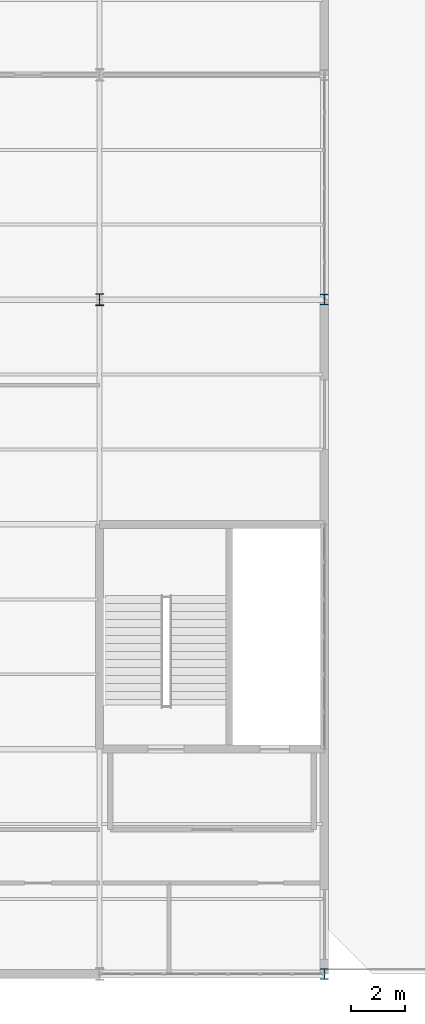
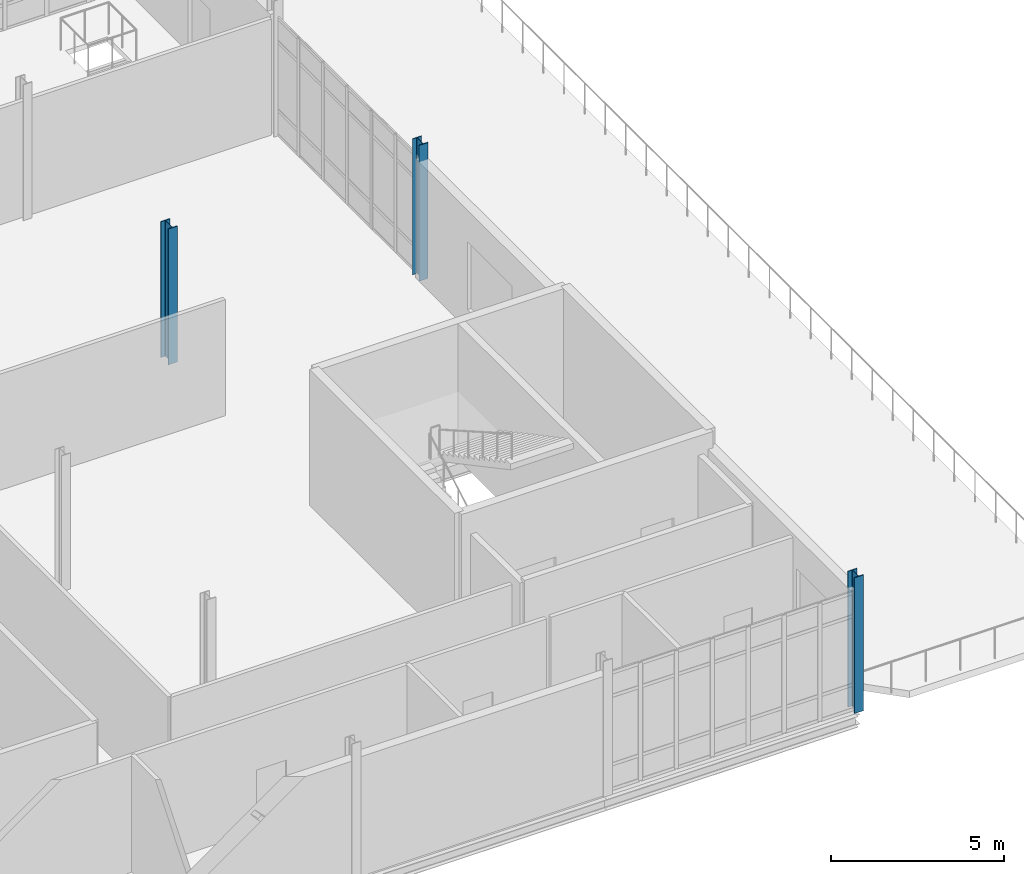
# One storey, part 2 of 28: 3 columns.
"""IFC4 building model written with IfcOpenShell, lengths in metres."""

import ifcopenshell
import ifcopenshell.guid

model = None  # the IFC model being written
_history = None  # IfcOwnerHistory: only IFC2X3 demands one
_inside = {}  # id of a spatial element -> (the spatial element, [elements in it])
_under = {}  # id of a project, library or spatial element -> (it, [spatial elements below it])
_declared = {}  # id of a project -> (the project, [libraries it declares])
_typed = {}  # id of a type object -> (the type object, [elements of that type])
_made_of = {}  # id of a material, layer set ... -> (it, [elements and type objects made of it])


def new_model(schema):
    """Start an empty IFC model of exactly this schema.

    Asked for "IFC4X3", IfcOpenShell would pick the latest addendum, in which some entities
    have other attributes; the version numbers below select the first issue.
    IFC2X3 requires an IfcOwnerHistory on every rooted entity: one is made here for all.
    """
    global model, _history
    if schema == "IFC4X3":
        model = ifcopenshell.file(schema_version=(4, 3, 0, 0))
    else:
        model = ifcopenshell.file(schema=schema)
    _inside.clear()
    _under.clear()
    _declared.clear()
    _typed.clear()
    _made_of.clear()
    _history = None
    if model.schema == "IFC2X3":
        org = make("IfcOrganization", Name="unknown")
        user = make(
            "IfcPersonAndOrganization",
            ThePerson=make("IfcPerson", FamilyName="unknown"),
            TheOrganization=org,
        )
        app = make(
            "IfcApplication",
            ApplicationDeveloper=org,
            Version="unknown",
            ApplicationFullName="unknown",
            ApplicationIdentifier="unknown",
        )
        _history = make(
            "IfcOwnerHistory",
            OwningUser=user,
            OwningApplication=app,
            ChangeAction="ADDED",
            CreationDate=0,
        )
    return model


def make(cls, **values):
    """One entity of the class cls with the attributes given. An attribute that is None is left unset."""
    return model.create_entity(
        cls, **{name: value for name, value in values.items() if value is not None}
    )


def rooted(cls, **values):
    """An entity with a GlobalId (a new one), such as an element, a storey or a relation."""
    return make(cls, GlobalId=ifcopenshell.guid.new(), OwnerHistory=_history, **values)


def si_unit(unit_type, name, prefix=None):
    """IfcSIUnit, for example si_unit("LENGTHUNIT", "METRE", prefix="MILLI")."""
    return make("IfcSIUnit", UnitType=unit_type, Prefix=prefix, Name=name)


def assignment(units):
    """IfcUnitAssignment: the units of a project."""
    return None if units is None else make("IfcUnitAssignment", Units=units)


def point(xyz):
    """IfcCartesianPoint."""
    return None if xyz is None else make("IfcCartesianPoint", Coordinates=xyz)


def direction(xyz):
    """IfcDirection."""
    return None if xyz is None else make("IfcDirection", DirectionRatios=xyz)


def frame(location, z_axis=None, x_axis=None):
    """IfcAxis2Placement3D, a coordinate frame: its origin and axes. An axis left out is left unset."""
    return make(
        "IfcAxis2Placement3D",
        Location=point(location),
        Axis=direction(z_axis),
        RefDirection=direction(x_axis),
    )


def frame_2d(location, x_axis=None):
    """IfcAxis2Placement2D, a coordinate frame in the plane: its origin and x axis."""
    return make(
        "IfcAxis2Placement2D", Location=point(location), RefDirection=direction(x_axis)
    )


def origin():
    """The frame at (0, 0, 0) with its axes left unset."""
    return frame((0.0, 0.0, 0.0))


def origin_2d():
    """The frame at (0, 0) in the plane with its x axis left unset."""
    return frame_2d((0.0, 0.0))


def place(relative_to, where):
    """IfcLocalPlacement: puts the frame where relative to a parent placement (None: the world)."""
    return make(
        "IfcLocalPlacement", PlacementRelTo=relative_to, RelativePlacement=where
    )


def context(
    kind, dimensions, precision=None, world=None, true_north=None, identifier=None
):
    """IfcGeometricRepresentationContext, for example the 3D "Model" context."""
    return make(
        "IfcGeometricRepresentationContext",
        ContextIdentifier=identifier,
        ContextType=kind,
        CoordinateSpaceDimension=dimensions,
        Precision=precision,
        WorldCoordinateSystem=world,
        TrueNorth=true_north,
    )


def subcontext(parent, identifier, kind, view, scale=None):
    """IfcGeometricRepresentationSubContext, for example "Body" below "Model"."""
    return make(
        "IfcGeometricRepresentationSubContext",
        ContextIdentifier=identifier,
        ContextType=kind,
        ParentContext=parent,
        TargetScale=scale,
        TargetView=view,
    )


def project(units=None, contexts=None):
    """IfcProject with its units and contexts."""
    return rooted(
        "IfcProject",
        Name="project",
        RepresentationContexts=contexts,
        UnitsInContext=assignment(units),
    )


def spatial(cls, under=None, at=None, **own):
    """A site, building, storey or space (cls), placed at a placement, below another one or the project."""
    s = rooted(cls, ObjectPlacement=at, **own)
    if under is not None:
        _under.setdefault(under.id(), (under, []))[1].append(s)
    return s


def profile(cls, at=None, kind="AREA", **sizes):
    """A parametric profile (cls). Its sizes go by their IFC names, for example OverallWidth=200.0."""
    return make(cls, ProfileType=kind, Position=at, **sizes)


def i_section(**sizes):
    """IfcIShapeProfileDef."""
    return profile("IfcIShapeProfileDef", **sizes)


def extrude(swept, where, along, depth):
    """IfcExtrudedAreaSolid: the profile swept, set in the frame where, extruded along a direction by depth."""
    return make(
        "IfcExtrudedAreaSolid",
        SweptArea=swept,
        Position=where,
        ExtrudedDirection=direction(along),
        Depth=depth,
    )


def shape(context_of_items, identifier, shape_type, items):
    """IfcShapeRepresentation: the items that make up one representation, for example the "Body"."""
    return make(
        "IfcShapeRepresentation",
        ContextOfItems=context_of_items,
        RepresentationIdentifier=identifier,
        RepresentationType=shape_type,
        Items=items,
    )


def material(Name=None, Category=None):
    """IfcMaterial."""
    return make("IfcMaterial", Name=Name, Category=Category)


def material_profile(
    of_material, cross_section, Name=None, Category=None, Priority=None
):
    """IfcMaterialProfile: a cross section and its material."""
    return make(
        "IfcMaterialProfile",
        Name=Name,
        Material=of_material,
        Profile=cross_section,
        Priority=Priority,
        Category=Category,
    )


def profile_set(profiles, Name=None, composite=None):
    """IfcMaterialProfileSet."""
    return make(
        "IfcMaterialProfileSet",
        Name=Name,
        MaterialProfiles=profiles,
        CompositeProfile=composite,
    )


def made_of(thing, what):
    """Note that an element or type object is made of a material, layer set ...; save() writes the relation."""
    if what is not None:
        _made_of.setdefault(what.id(), (what, []))[1].append(thing)
    return thing


def type_object(cls, material=None, **own):
    """A type object (cls), such as IfcWallType, which elements share."""
    return made_of(rooted(cls, **own), material)


def element(
    cls,
    number,
    at=None,
    inside=None,
    cuts=None,
    type_object=None,
    material=None,
    context=None,
    identifier="Body",
    shape_type=None,
    held_by="IfcProductDefinitionShape",
    body=None,
    shapes=None,
    **own,
):
    """One element of the class cls, such as IfcWall. Its Tag is "e" and its number.

    at: its placement. inside: the storey or other place that contains it. cuts: it is an
    opening in that element (IfcRelVoidsElement). A single representation is given by context,
    identifier, shape_type and body (its items); several are given by shapes. held_by: the class
    of the entity that holds the representations. save() writes the other relations.
    """
    e = rooted(cls, Tag="e%d" % number, ObjectPlacement=at, **own)
    if body is not None:
        shapes = [shape(context, identifier, shape_type, body)]
    if shapes is not None:
        e.Representation = make(held_by, Representations=shapes)
    if inside is not None:
        _inside.setdefault(inside.id(), (inside, []))[1].append(e)
    if cuts is not None:
        rooted(
            "IfcRelVoidsElement", RelatingBuildingElement=cuts, RelatedOpeningElement=e
        )
    if type_object is not None:
        _typed.setdefault(type_object.id(), (type_object, []))[1].append(e)
    return made_of(e, material)


def aggregate(whole, parts):
    """IfcRelAggregates: a whole, such as a stair, and the parts it consists of."""
    return rooted("IfcRelAggregates", RelatingObject=whole, RelatedObjects=parts)


def save(model, path):
    """Write the relations noted so far, then the file.

    IfcRelAggregates (storeys below a building ...), IfcRelContainedInSpatialStructure (elements
    in a storey), IfcRelDefinesByType, IfcRelAssociatesMaterial and IfcRelDeclares: one each for
    every whole, place, type object, material and project.
    """
    for whole, parts in _under.values():
        aggregate(whole, parts)
    for where, things in _inside.values():
        rooted(
            "IfcRelContainedInSpatialStructure",
            RelatedElements=things,
            RelatingStructure=where,
        )
    for kind, things in _typed.values():
        rooted("IfcRelDefinesByType", RelatedObjects=things, RelatingType=kind)
    for what, things in _made_of.values():
        rooted("IfcRelAssociatesMaterial", RelatedObjects=things, RelatingMaterial=what)
    for by, libraries in _declared.values():
        rooted("IfcRelDeclares", RelatingContext=by, RelatedDefinitions=libraries)
    model.write(path)


model = new_model("IFC4")

# Units and contexts
model_context = context("Model", 3, precision=1e-05, world=origin(), true_north=direction((0.0, 1.0)))
body_context = subcontext(model_context, "Body", "Model", "MODEL_VIEW")
ifc_project = project(units=[si_unit("LENGTHUNIT", "METRE"), si_unit("AREAUNIT", "SQUARE_METRE"), si_unit("VOLUMEUNIT", "CUBIC_METRE"), si_unit("PLANEANGLEUNIT", "RADIAN"), si_unit("MASSUNIT", "GRAM", prefix="KILO")], contexts=[model_context])

# Site, building, storey
site_placement = place(None, origin())
site = spatial("IfcSite", under=ifc_project, at=site_placement, CompositionType="ELEMENT")
building_placement = place(site_placement, origin())
building = spatial("IfcBuilding", under=site, at=building_placement, Name="Qalvenar Corner Mobility Hub", CompositionType="ELEMENT")
storey_placement = place(building_placement, frame((0.0, 0.0, 21.60009765625)))
storey = spatial("IfcBuildingStorey", under=building, at=storey_placement, Name="L05", CompositionType="ELEMENT", Elevation=21.60009765625)

# Columns
ifc_material = material(Name="Steel S355", Category="steel")
ifc_material_profile_1 = material_profile(ifc_material, i_section(OverallWidth=0.300048828125, OverallDepth=0.39990234375, WebThickness=0.013427734375, FlangeThickness=0.02392578125, FilletRadius=0.027099609375, at=origin_2d()), Name="HEB400")
ifc_profile_set_1 = profile_set([ifc_material_profile_1], Name="Steel S355")
column_type_1 = type_object("IfcColumnType", Name="COL-HEB400", PredefinedType="COLUMN", material=ifc_profile_set_1)
for number, where, z_axis, x_axis, name in (
    (1, (42.0, 0.0, 0.0), (0.0, 0.0, 1.0), (1.0, 0.0, 0.0), "Steel Column L05-G6-0"),
    (2, (42.0, 25.199951171875, 0.0), (0.0, 0.0, 1.0), (1.0, 0.0, 0.0), "Steel Column L05-G6-3"),
):
    element("IfcColumn", number, at=place(storey_placement, frame(where, z_axis=z_axis, x_axis=x_axis)), inside=storey, type_object=column_type_1, Name=name, PredefinedType="COLUMN", context=body_context, shape_type="SweptSolid", body=[
        extrude(i_section(OverallWidth=0.300048828125, OverallDepth=0.39990234375, WebThickness=0.013427734375, FlangeThickness=0.02392578125, FilletRadius=0.027099609375, at=origin_2d()), origin(), (0.0, 0.0, 1.0), 4.7998046875),
    ])
ifc_material_profile_2 = material_profile(ifc_material, i_section(OverallWidth=0.300048828125, OverallDepth=0.449951171875, WebThickness=0.013916015625, FlangeThickness=0.02587890625, FilletRadius=0.027099609375, at=origin_2d()), Name="HEB450")
ifc_profile_set_2 = profile_set([ifc_material_profile_2], Name="Steel S355")
column_type_2 = type_object("IfcColumnType", Name="COL-HEB450", PredefinedType="COLUMN", material=ifc_profile_set_2)
column_placement = place(storey_placement, frame((33.60009765625, 25.199951171875, 0.0), z_axis=(0.0, 0.0, 1.0), x_axis=(1.0, 0.0, 0.0)))
element("IfcColumn", 3, at=column_placement, inside=storey, type_object=column_type_2, Name="Steel Column L05-G5-3", PredefinedType="COLUMN", context=body_context, shape_type="SweptSolid", body=[
    extrude(i_section(OverallWidth=0.300048828125, OverallDepth=0.449951171875, WebThickness=0.013916015625, FlangeThickness=0.02587890625, FilletRadius=0.027099609375, at=origin_2d()), origin(), (0.0, 0.0, 1.0), 4.7998046875),
])

save(model, "model.ifc")
